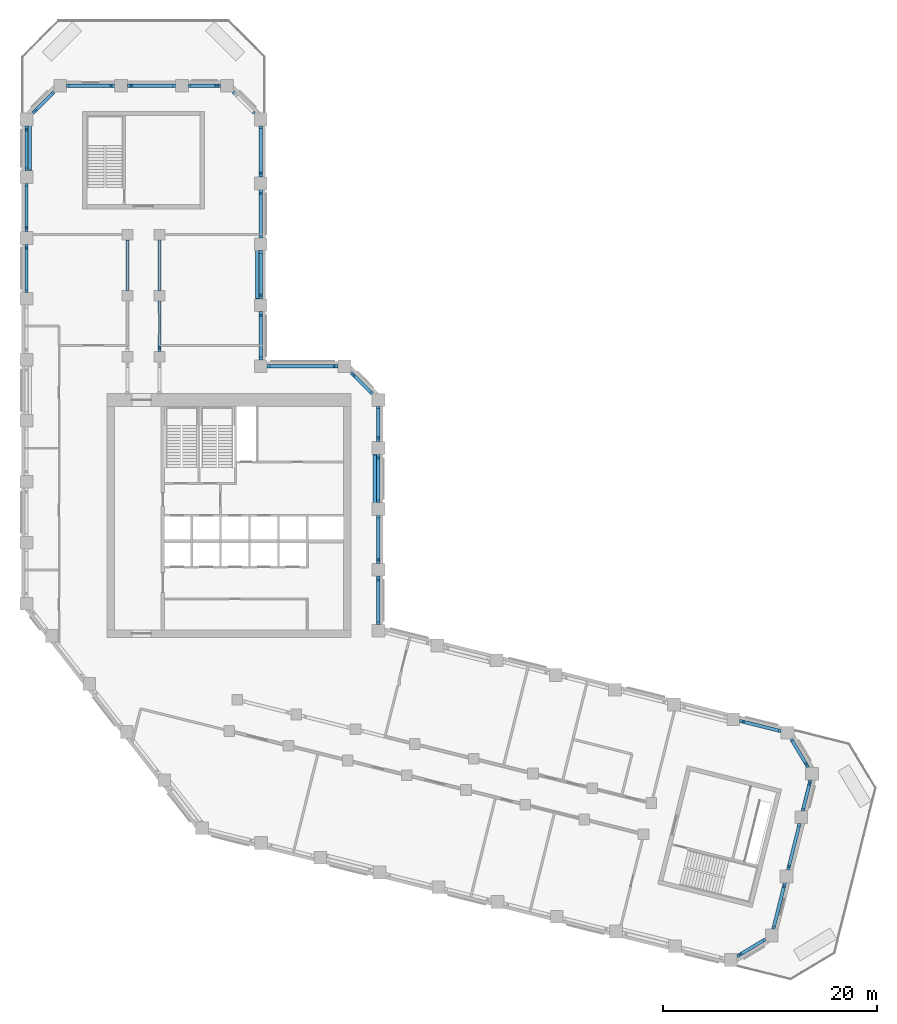
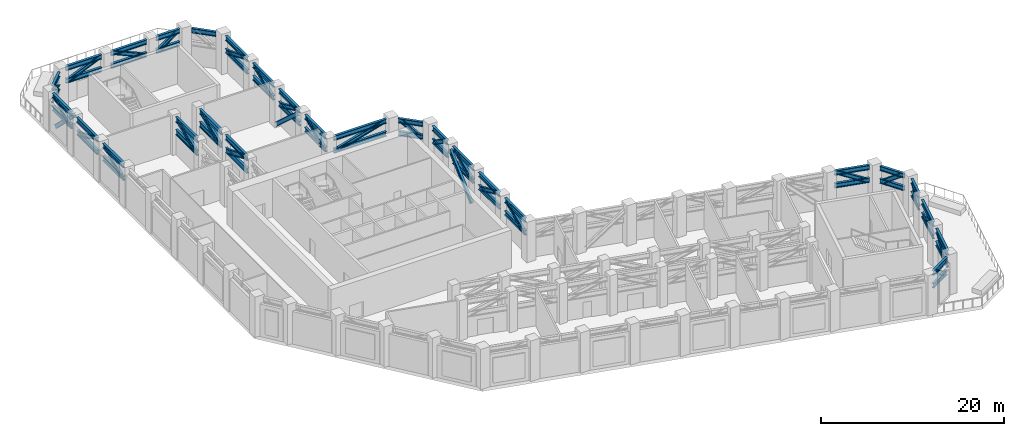
# One storey, part 3 of 14: 53 beams, 29 members.
"""IFC4 building model written with IfcOpenShell, lengths in metres."""

from ifc_helpers import new_model, si_unit, direction, frame, origin, origin_2d, place, context, subcontext, project, spatial, i_section, extrude, material, material_profile, profile_set, type_object, element, save


model = new_model("IFC4")

# Units and contexts
model_context = context("Model", 3, precision=1e-05, world=origin(), true_north=direction((0.0, 1.0)))
body_context = subcontext(model_context, "Body", "Model", "MODEL_VIEW")
ifc_project = project(units=[si_unit("LENGTHUNIT", "METRE"), si_unit("AREAUNIT", "SQUARE_METRE"), si_unit("VOLUMEUNIT", "CUBIC_METRE"), si_unit("PLANEANGLEUNIT", "RADIAN"), si_unit("MASSUNIT", "GRAM", prefix="KILO")], contexts=[model_context])

# Site, building, storey
site_placement = place(None, origin())
site = spatial("IfcSite", under=ifc_project, at=site_placement, CompositionType="ELEMENT")
building_placement = place(site_placement, origin())
building = spatial("IfcBuilding", under=site, at=building_placement, Name="Meshkara Civic Tower", CompositionType="ELEMENT")
storey_placement = place(building_placement, frame((0.0, 0.0, 220.199951171875)))
storey = spatial("IfcBuildingStorey", under=building, at=storey_placement, Name="L50", CompositionType="ELEMENT", Elevation=220.199951171875)

# Beams
ifc_material_1 = material(Name="Steel S355", Category="steel")
ifc_material_profile_1 = material_profile(ifc_material_1, i_section(OverallWidth=0.304931640625, OverallDepth=0.6201171875, WebThickness=0.02099609375, FlangeThickness=0.0400390625, FilletRadius=0.027099609375, at=origin_2d()))
ifc_profile_set_1 = profile_set([ifc_material_profile_1], Name="Steel S355")
beam_type_1 = type_object("IfcBeamType", Name="Belt truss chord HEM 600 S355", PredefinedType="BEAM", material=ifc_profile_set_1)
for number, where, z_axis, x_axis, name in (
    (1, (33.35009765625, 15.31396484375, 4.7900390625), (0.0, 1.0, 0.0), (-1.0, 0.0, 0.0), "Belt truss chord BHE00-HE01"),
    (2, (33.35009765625, 15.31396484375, 3.090087890625), (0.0, 1.0, 0.0), (-1.0, 0.0, 0.0), "Belt truss chord BHE00-HE01"),
    (3, (33.35009765625, 21.013916015625, 4.7900390625), (0.0, 1.0, 0.0), (-1.0, 0.0, 0.0), "Belt truss chord BHE01-HE02"),
    (4, (33.35009765625, 21.013916015625, 3.090087890625), (0.0, 1.0, 0.0), (-1.0, 0.0, 0.0), "Belt truss chord BHE01-HE02"),
    (5, (33.35009765625, 26.714111328125, 4.7900390625), (0.0, 1.0, 0.0), (-1.0, 0.0, 0.0), "Belt truss chord BHE02-HE03"),
    (6, (33.35009765625, 26.714111328125, 3.090087890625), (0.0, 1.0, 0.0), (-1.0, 0.0, 0.0), "Belt truss chord BHE02-HE03"),
):
    element("IfcBeam", number, at=place(storey_placement, frame(where, z_axis=z_axis, x_axis=x_axis)), inside=storey, type_object=beam_type_1, Name=name, PredefinedType="BEAM", context=body_context, shape_type="SweptSolid", body=[
        extrude(i_section(OverallWidth=0.304931640625, OverallDepth=0.6201171875, WebThickness=0.02099609375, FlangeThickness=0.0400390625, FilletRadius=0.027099609375, at=origin_2d()), origin(), (0.0, 0.0, 1.0), 4.510009765625),
    ])
for number, where, z_axis, x_axis, name in (
    (7, (33.35009765625, 32.4140625, 4.7900390625), (0.0, 1.0, 0.0), (-1.0, 0.0, 0.0), "Belt truss chord BHE03-HEE"),
    (8, (33.35009765625, 32.4140625, 3.090087890625), (0.0, 1.0, 0.0), (-1.0, 0.0, 0.0), "Belt truss chord BHE03-HEE"),
):
    element("IfcBeam", number, at=place(storey_placement, frame(where, z_axis=z_axis, x_axis=x_axis)), inside=storey, type_object=beam_type_1, Name=name, PredefinedType="BEAM", context=body_context, shape_type="SweptSolid", body=[
        extrude(i_section(OverallWidth=0.304931640625, OverallDepth=0.6201171875, WebThickness=0.02099609375, FlangeThickness=0.0400390625, FilletRadius=0.027099609375, at=origin_2d()), origin(), (0.0, 0.0, 1.0), 3.284912109375),
    ])
for number, where, z_axis, x_axis, name in (
    (9, (32.75341796875, 36.890380859375, 4.7900390625), (-0.707062808252, 0.707150751387, 0.0), (-0.707150751387, -0.707062808252, 0.0), "Belt truss chord BHEE-HCeE"),
    (10, (32.75341796875, 36.890380859375, 3.090087890625), (-0.707062808252, 0.707150751387, 0.0), (-0.707150751387, -0.707062808252, 0.0), "Belt truss chord BHEE-HCeE"),
):
    element("IfcBeam", number, at=place(storey_placement, frame(where, z_axis=z_axis, x_axis=x_axis)), inside=storey, type_object=beam_type_1, Name=name, PredefinedType="BEAM", context=body_context, shape_type="SweptSolid", body=[
        extrude(i_section(OverallWidth=0.304931640625, OverallDepth=0.6201171875, WebThickness=0.02099609375, FlangeThickness=0.0400390625, FilletRadius=0.027099609375, at=origin_2d()), origin(), (0.0, 0.0, 1.0), 2.776123046875),
    ])
for number, where, z_axis, x_axis, name in (
    (11, (29.59912109375, 39.449951171875, 4.7900390625), (-1.0, 0.0, 0.0), (0.0, -1.0, 0.0), "Belt truss chord BHCeE-HN00"),
    (12, (29.59912109375, 39.449951171875, 3.090087890625), (-1.0, 0.0, 0.0), (0.0, -1.0, 0.0), "Belt truss chord BHCeE-HN00"),
):
    element("IfcBeam", number, at=place(storey_placement, frame(where, z_axis=z_axis, x_axis=x_axis)), inside=storey, type_object=beam_type_1, Name=name, PredefinedType="BEAM", context=body_context, shape_type="SweptSolid", body=[
        extrude(i_section(OverallWidth=0.304931640625, OverallDepth=0.6201171875, WebThickness=0.02099609375, FlangeThickness=0.0400390625, FilletRadius=0.027099609375, at=origin_2d()), origin(), (0.0, 0.0, 1.0), 6.654052734375),
    ])
for number, where, z_axis, x_axis, name in (
    (13, (22.35009765625, 40.044921875, 4.7900390625), (0.0, 1.0, 0.0), (-1.0, 0.0, 0.0), "Belt truss chord BHN00-AE01"),
    (14, (22.35009765625, 40.044921875, 3.090087890625), (0.0, 1.0, 0.0), (-1.0, 0.0, 0.0), "Belt truss chord BHN00-AE01"),
):
    element("IfcBeam", number, at=place(storey_placement, frame(where, z_axis=z_axis, x_axis=x_axis)), inside=storey, type_object=beam_type_1, Name=name, PredefinedType="BEAM", context=body_context, shape_type="SweptSolid", body=[
        extrude(i_section(OverallWidth=0.304931640625, OverallDepth=0.6201171875, WebThickness=0.02099609375, FlangeThickness=0.0400390625, FilletRadius=0.027099609375, at=origin_2d()), origin(), (0.0, 0.0, 1.0), 4.510009765625),
    ])
for number, where, z_axis, x_axis, name in (
    (15, (22.35009765625, 45.7451171875, 4.7900390625), (0.0, 1.0, 0.0), (-1.0, 0.0, 0.0), "Belt truss chord BAE01-AE02"),
    (16, (22.35009765625, 45.7451171875, 3.090087890625), (0.0, 1.0, 0.0), (-1.0, 0.0, 0.0), "Belt truss chord BAE01-AE02"),
):
    element("IfcBeam", number, at=place(storey_placement, frame(where, z_axis=z_axis, x_axis=x_axis)), inside=storey, type_object=beam_type_1, Name=name, PredefinedType="BEAM", context=body_context, shape_type="SweptSolid", body=[
        extrude(i_section(OverallWidth=0.304931640625, OverallDepth=0.6201171875, WebThickness=0.02099609375, FlangeThickness=0.0400390625, FilletRadius=0.027099609375, at=origin_2d()), origin(), (0.0, 0.0, 1.0), 4.509765625),
    ])
for number, where, z_axis, x_axis, name in (
    (17, (22.35009765625, 51.445068359375, 4.7900390625), (0.0, 1.0, 0.0), (-1.0, 0.0, 0.0), "Belt truss chord BAE02-AE03"),
    (18, (22.35009765625, 51.445068359375, 3.090087890625), (0.0, 1.0, 0.0), (-1.0, 0.0, 0.0), "Belt truss chord BAE02-AE03"),
):
    element("IfcBeam", number, at=place(storey_placement, frame(where, z_axis=z_axis, x_axis=x_axis)), inside=storey, type_object=beam_type_1, Name=name, PredefinedType="BEAM", context=body_context, shape_type="SweptSolid", body=[
        extrude(i_section(OverallWidth=0.304931640625, OverallDepth=0.6201171875, WebThickness=0.02099609375, FlangeThickness=0.0400390625, FilletRadius=0.027099609375, at=origin_2d()), origin(), (0.0, 0.0, 1.0), 4.510009765625),
    ])
for number, where, z_axis, x_axis, name in (
    (19, (22.35009765625, 57.14501953125, 4.7900390625), (0.0, 1.0, 0.0), (-1.0, 0.0, 0.0), "Belt truss chord BAE03-AEEP3"),
    (20, (22.35009765625, 57.14501953125, 3.090087890625), (0.0, 1.0, 0.0), (-1.0, 0.0, 0.0), "Belt truss chord BAE03-AEEP3"),
):
    element("IfcBeam", number, at=place(storey_placement, frame(where, z_axis=z_axis, x_axis=x_axis)), inside=storey, type_object=beam_type_1, Name=name, PredefinedType="BEAM", context=body_context, shape_type="SweptSolid", body=[
        extrude(i_section(OverallWidth=0.304931640625, OverallDepth=0.6201171875, WebThickness=0.02099609375, FlangeThickness=0.0400390625, FilletRadius=0.027099609375, at=origin_2d()), origin(), (0.0, 0.0, 1.0), 4.77392578125),
    ])
beam_placement = place(storey_placement, frame((21.75341796875, 63.110595703125, 4.7900390625), z_axis=(-0.707106781187, 0.707106781187, 0.0), x_axis=(-0.707106781187, -0.707106781187, 0.0)))
element("IfcBeam", 21, at=beam_placement, inside=storey, type_object=beam_type_1, Name="Belt truss chord BAEEP3-ATiEP3", PredefinedType="BEAM", context=body_context, shape_type="SweptSolid", body=[
    extrude(i_section(OverallWidth=0.304931640625, OverallDepth=0.6201171875, WebThickness=0.02099609375, FlangeThickness=0.0400390625, FilletRadius=0.027099609375, at=origin_2d()), origin(), (0.0, 0.0, 1.0), 2.77587890625),
])
for number, where, z_axis, x_axis, name in (
    (22, (18.59912109375, 65.669921875, 4.7900390625), (-1.0, 0.0, 0.0), (0.0, -1.0, 0.0), "Belt truss chord BATiEP3-AT02-P3"),
    (23, (18.59912109375, 65.669921875, 3.090087890625), (-1.0, 0.0, 0.0), (0.0, -1.0, 0.0), "Belt truss chord BATiEP3-AT02-P3"),
):
    element("IfcBeam", number, at=place(storey_placement, frame(where, z_axis=z_axis, x_axis=x_axis)), inside=storey, type_object=beam_type_1, Name=name, PredefinedType="BEAM", context=body_context, shape_type="SweptSolid", body=[
        extrude(i_section(OverallWidth=0.304931640625, OverallDepth=0.6201171875, WebThickness=0.02099609375, FlangeThickness=0.0400390625, FilletRadius=0.027099609375, at=origin_2d()), origin(), (0.0, 0.0, 1.0), 2.998046875),
    ])
for number, where, z_axis, x_axis, name in (
    (24, (14.410888671875, 65.669921875, 4.7900390625), (-1.0, 0.0, 0.0), (0.0, -1.0, 0.0), "Belt truss chord BAT02-P3-AT01-P3"),
    (25, (14.410888671875, 65.669921875, 3.090087890625), (-1.0, 0.0, 0.0), (0.0, -1.0, 0.0), "Belt truss chord BAT02-P3-AT01-P3"),
    (26, (8.7109375, 65.669921875, 4.7900390625), (-1.0, 0.0, 0.0), (0.0, -1.0, 0.0), "Belt truss chord BAT01-P3-AT00-P3"),
    (27, (8.7109375, 65.669921875, 3.090087890625), (-1.0, 0.0, 0.0), (0.0, -1.0, 0.0), "Belt truss chord BAT01-P3-AT00-P3"),
):
    element("IfcBeam", number, at=place(storey_placement, frame(where, z_axis=z_axis, x_axis=x_axis)), inside=storey, type_object=beam_type_1, Name=name, PredefinedType="BEAM", context=body_context, shape_type="SweptSolid", body=[
        extrude(i_section(OverallWidth=0.304931640625, OverallDepth=0.6201171875, WebThickness=0.02099609375, FlangeThickness=0.0400390625, FilletRadius=0.027099609375, at=origin_2d()), origin(), (0.0, 0.0, 1.0), 4.510009765625),
    ])
for number, where, z_axis, x_axis, name in (
    (28, (3.009521484375, 65.073486328125, 4.7900390625), (-0.707150751387, -0.707062808252, 0.0), (0.707062808252, -0.707150751387, 0.0), "Belt truss chord BAT00-P3-ATo00-P3"),
    (29, (3.009521484375, 65.073486328125, 3.090087890625), (-0.707150751387, -0.707062808252, 0.0), (0.707062808252, -0.707150751387, 0.0), "Belt truss chord BAT00-P3-ATo00-P3"),
):
    element("IfcBeam", number, at=place(storey_placement, frame(where, z_axis=z_axis, x_axis=x_axis)), inside=storey, type_object=beam_type_1, Name=name, PredefinedType="BEAM", context=body_context, shape_type="SweptSolid", body=[
        extrude(i_section(OverallWidth=0.304931640625, OverallDepth=0.6201171875, WebThickness=0.02099609375, FlangeThickness=0.0400390625, FilletRadius=0.027099609375, at=origin_2d()), origin(), (0.0, 0.0, 1.0), 2.776123046875),
    ])
for number, where, z_axis, x_axis, name in (
    (30, (0.449951171875, 61.9189453125, 4.7900390625), (0.0, -1.0, 0.0), (1.0, 0.0, 0.0), "Belt truss chord BATo00-P3-AW07"),
    (31, (0.449951171875, 61.9189453125, 3.090087890625), (0.0, -1.0, 0.0), (1.0, 0.0, 0.0), "Belt truss chord BATo00-P3-AW07"),
):
    element("IfcBeam", number, at=place(storey_placement, frame(where, z_axis=z_axis, x_axis=x_axis)), inside=storey, type_object=beam_type_1, Name=name, PredefinedType="BEAM", context=body_context, shape_type="SweptSolid", body=[
        extrude(i_section(OverallWidth=0.304931640625, OverallDepth=0.6201171875, WebThickness=0.02099609375, FlangeThickness=0.0400390625, FilletRadius=0.027099609375, at=origin_2d()), origin(), (0.0, 0.0, 1.0), 4.1689453125),
    ])
for number, where, z_axis, x_axis, name in (
    (32, (0.449951171875, 56.56005859375, 4.7900390625), (0.0, -1.0, 0.0), (1.0, 0.0, 0.0), "Belt truss chord BAW07-AW06"),
    (33, (0.449951171875, 56.56005859375, 3.090087890625), (0.0, -1.0, 0.0), (1.0, 0.0, 0.0), "Belt truss chord BAW07-AW06"),
    (34, (0.449951171875, 50.860107421875, 4.7900390625), (0.0, -1.0, 0.0), (1.0, 0.0, 0.0), "Belt truss chord BAW06-AW05"),
    (35, (0.449951171875, 50.860107421875, 3.090087890625), (0.0, -1.0, 0.0), (1.0, 0.0, 0.0), "Belt truss chord BAW06-AW05"),
):
    element("IfcBeam", number, at=place(storey_placement, frame(where, z_axis=z_axis, x_axis=x_axis)), inside=storey, type_object=beam_type_1, Name=name, PredefinedType="BEAM", context=body_context, shape_type="SweptSolid", body=[
        extrude(i_section(OverallWidth=0.304931640625, OverallDepth=0.6201171875, WebThickness=0.02099609375, FlangeThickness=0.0400390625, FilletRadius=0.027099609375, at=origin_2d()), origin(), (0.0, 0.0, 1.0), 4.510009765625),
    ])
for number, where, z_axis, x_axis, name in (
    (36, (66.8916015625, -15.70703125, 4.7900390625), (0.85718440509, 0.515009607358, 0.0), (-0.515009607358, 0.85718440509, 0.0), "Belt truss chord BBSEP3-BToEP3"),
    (37, (66.8916015625, -15.70703125, 3.090087890625), (0.85718440509, 0.515009607358, 0.0), (-0.515009607358, 0.85718440509, 0.0), "Belt truss chord BBSEP3-BToEP3"),
):
    element("IfcBeam", number, at=place(storey_placement, frame(where, z_axis=z_axis, x_axis=x_axis)), inside=storey, type_object=beam_type_1, Name=name, PredefinedType="BEAM", context=body_context, shape_type="SweptSolid", body=[
        extrude(i_section(OverallWidth=0.304931640625, OverallDepth=0.6201171875, WebThickness=0.02099609375, FlangeThickness=0.0400390625, FilletRadius=0.027099609375, at=origin_2d()), origin(), (0.0, 0.0, 1.0), 3.07373046875),
    ])
for number, where, z_axis, x_axis, name in (
    (38, (70.2705078125, -13.1708984375, 4.7900390625), (0.241867850018, 0.970309199754, 0.0), (-0.970309199754, 0.241867850018, 0.0), "Belt truss chord BBToEP3-BT01-P3"),
    (39, (70.2705078125, -13.1708984375, 3.090087890625), (0.241867850018, 0.970309199754, 0.0), (-0.970309199754, 0.241867850018, 0.0), "Belt truss chord BBToEP3-BT01-P3"),
):
    element("IfcBeam", number, at=place(storey_placement, frame(where, z_axis=z_axis, x_axis=x_axis)), inside=storey, type_object=beam_type_1, Name=name, PredefinedType="BEAM", context=body_context, shape_type="SweptSolid", body=[
        extrude(i_section(OverallWidth=0.304931640625, OverallDepth=0.6201171875, WebThickness=0.02099609375, FlangeThickness=0.0400390625, FilletRadius=0.027099609375, at=origin_2d()), origin(), (0.0, 0.0, 1.0), 4.4736328125),
    ])
for number, where, z_axis, x_axis, name in (
    (40, (71.6494140625, -7.639892578125, 4.7900390625), (0.241970479865, 0.970283611566, 0.0), (-0.970283611566, 0.241970479865, 0.0), "Belt truss chord BBT01-P3-BT02-P3"),
    (41, (71.6494140625, -7.639892578125, 3.090087890625), (0.241970479865, 0.970283611566, 0.0), (-0.970283611566, 0.241970479865, 0.0), "Belt truss chord BBT01-P3-BT02-P3"),
):
    element("IfcBeam", number, at=place(storey_placement, frame(where, z_axis=z_axis, x_axis=x_axis)), inside=storey, type_object=beam_type_1, Name=name, PredefinedType="BEAM", context=body_context, shape_type="SweptSolid", body=[
        extrude(i_section(OverallWidth=0.304931640625, OverallDepth=0.6201171875, WebThickness=0.02099609375, FlangeThickness=0.0400390625, FilletRadius=0.027099609375, at=origin_2d()), origin(), (0.0, 0.0, 1.0), 4.47265625),
    ])
for number, where, z_axis, x_axis, name in (
    (42, (73.0283203125, -2.10986328125, 4.7900390625), (0.241934114249, 0.970292679743, 0.0), (-0.970292679743, 0.241934114249, 0.0), "Belt truss chord BBT02-P3-BTEP3"),
    (43, (73.0283203125, -2.10986328125, 3.090087890625), (0.241934114249, 0.970292679743, 0.0), (-0.970292679743, 0.241934114249, 0.0), "Belt truss chord BBT02-P3-BTEP3"),
):
    element("IfcBeam", number, at=place(storey_placement, frame(where, z_axis=z_axis, x_axis=x_axis)), inside=storey, type_object=beam_type_1, Name=name, PredefinedType="BEAM", context=body_context, shape_type="SweptSolid", body=[
        extrude(i_section(OverallWidth=0.304931640625, OverallDepth=0.6201171875, WebThickness=0.02099609375, FlangeThickness=0.0400390625, FilletRadius=0.027099609375, at=origin_2d()), origin(), (0.0, 0.0, 1.0), 2.960693359375),
    ])
for number, where, z_axis, x_axis, name in (
    (44, (73.534912109375, 1.95361328125, 4.7900390625), (-0.515091526067, 0.857135181739, 0.0), (-0.857135181739, -0.515091526067, 0.0), "Belt truss chord BBTEP3-BTi00-P3"),
    (45, (73.534912109375, 1.95361328125, 3.090087890625), (-0.515091526067, 0.857135181739, 0.0), (-0.857135181739, -0.515091526067, 0.0), "Belt truss chord BBTEP3-BTi00-P3"),
):
    element("IfcBeam", number, at=place(storey_placement, frame(where, z_axis=z_axis, x_axis=x_axis)), inside=storey, type_object=beam_type_1, Name=name, PredefinedType="BEAM", context=body_context, shape_type="SweptSolid", body=[
        extrude(i_section(OverallWidth=0.304931640625, OverallDepth=0.6201171875, WebThickness=0.02099609375, FlangeThickness=0.0400390625, FilletRadius=0.027099609375, at=origin_2d()), origin(), (0.0, 0.0, 1.0), 3.07275390625),
    ])
for number, where, z_axis, x_axis, name in (
    (46, (70.998779296875, 5.331298828125, 4.7900390625), (-0.970264807431, 0.242045870573, 0.0), (-0.242045870573, -0.970264807431, 0.0), "Belt truss chord BBTi00-P3-BN06"),
    (47, (70.998779296875, 5.331298828125, 3.090087890625), (-0.970264807431, 0.242045870573, 0.0), (-0.242045870573, -0.970264807431, 0.0), "Belt truss chord BBTi00-P3-BN06"),
):
    element("IfcBeam", number, at=place(storey_placement, frame(where, z_axis=z_axis, x_axis=x_axis)), inside=storey, type_object=beam_type_1, Name=name, PredefinedType="BEAM", context=body_context, shape_type="SweptSolid", body=[
        extrude(i_section(OverallWidth=0.304931640625, OverallDepth=0.6201171875, WebThickness=0.02099609375, FlangeThickness=0.0400390625, FilletRadius=0.027099609375, at=origin_2d()), origin(), (0.0, 0.0, 1.0), 3.98828125),
    ])
ifc_material_2 = material(Name="Steel S355", Category="steel")
ifc_material_profile_2 = material_profile(ifc_material_2, i_section(OverallWidth=0.300048828125, OverallDepth=0.699951171875, WebThickness=0.01708984375, FlangeThickness=0.031982421875, FilletRadius=0.027099609375, at=origin_2d()))
ifc_profile_set_2 = profile_set([ifc_material_profile_2], Name="Steel S355")
beam_type_2 = type_object("IfcBeamType", Name="Outrigger chord HEB 700 S355", PredefinedType="BEAM", material=ifc_profile_set_2)
for number, where, z_axis, x_axis, name in (
    (48, (9.89990234375, 46.544921875, 4.75), (0.0, 1.0, 0.0), (-1.0, 0.0, 0.0), "Outrigger chord OSA1-SA1-05-SA1-06"),
    (49, (9.89990234375, 46.544921875, 3.050048828125), (0.0, 1.0, 0.0), (-1.0, 0.0, 0.0), "Outrigger chord OSA1-SA1-05-SA1-06"),
    (50, (12.89990234375, 40.844970703125, 4.75), (0.0, 1.0, 0.0), (-1.0, 0.0, 0.0), "Outrigger chord OSA2-SA2-04-SA2-05"),
    (51, (12.89990234375, 40.844970703125, 3.050048828125), (0.0, 1.0, 0.0), (-1.0, 0.0, 0.0), "Outrigger chord OSA2-SA2-04-SA2-05"),
    (52, (12.89990234375, 46.544921875, 4.75), (0.0, 1.0, 0.0), (-1.0, 0.0, 0.0), "Outrigger chord OSA2-SA2-05-SA2-06"),
    (53, (12.89990234375, 46.544921875, 3.050048828125), (0.0, 1.0, 0.0), (-1.0, 0.0, 0.0), "Outrigger chord OSA2-SA2-05-SA2-06"),
):
    element("IfcBeam", number, at=place(storey_placement, frame(where, z_axis=z_axis, x_axis=x_axis)), inside=storey, type_object=beam_type_2, Name=name, PredefinedType="BEAM", context=body_context, shape_type="SweptSolid", body=[
        extrude(i_section(OverallWidth=0.300048828125, OverallDepth=0.699951171875, WebThickness=0.01708984375, FlangeThickness=0.031982421875, FilletRadius=0.027099609375, at=origin_2d()), origin(), (0.0, 0.0, 1.0), 4.7099609375),
    ])

# Members
ifc_material_3 = material(Name="Steel S355", Category="steel")
ifc_material_profile_3 = material_profile(ifc_material_3, i_section(OverallWidth=0.300048828125, OverallDepth=0.590087890625, WebThickness=0.012939453125, FlangeThickness=0.02490234375, FilletRadius=0.027099609375, at=origin_2d()))
ifc_profile_set_3 = profile_set([ifc_material_profile_3], Name="Steel S355")
member_type_1 = type_object("IfcMemberType", Name="Truss diagonal HEA 600 S355", PredefinedType="BRACE", material=ifc_profile_set_3)
for number, where, z_axis, x_axis, name in (
    (54, (9.89990234375, 46.89501953125, 3.050048828125), (0.0, 0.920686179442, 0.39030367534), (-1.0, 0.0, 0.0), "TD-OSA1-SA1-05-SA1-06-L50"),
    (55, (12.89990234375, 41.195068359375, 4.75), (0.0, 0.920686179442, -0.39030367534), (-1.0, 0.0, 0.0), "TD-OSA2-SA2-04-SA2-05-L50"),
    (56, (12.89990234375, 46.89501953125, 3.050048828125), (0.0, 0.920686179442, 0.39030367534), (-1.0, 0.0, 0.0), "TD-OSA2-SA2-05-SA2-06-L50"),
):
    element("IfcMember", number, at=place(storey_placement, frame(where, z_axis=z_axis, x_axis=x_axis)), inside=storey, type_object=member_type_1, Name=name, PredefinedType="BRACE", context=body_context, shape_type="SweptSolid", body=[
        extrude(i_section(OverallWidth=0.300048828125, OverallDepth=0.590087890625, WebThickness=0.012939453125, FlangeThickness=0.02490234375, FilletRadius=0.027099609375, at=origin_2d()), origin(), (0.0, 0.0, 1.0), 4.35546875),
    ])
ifc_material_4 = material(Name="Steel S355", Category="steel")
ifc_material_profile_4 = material_profile(ifc_material_4, i_section(OverallWidth=0.300048828125, OverallDepth=0.5, WebThickness=0.014404296875, FlangeThickness=0.028076171875, FilletRadius=0.027099609375, at=origin_2d()))
ifc_profile_set_4 = profile_set([ifc_material_profile_4], Name="Steel S355")
member_type_2 = type_object("IfcMemberType", Name="Truss diagonal HEB 500 S355", PredefinedType="BRACE", material=ifc_profile_set_4)
for number, where, z_axis, x_axis, name in (
    (57, (33.35009765625, 15.6640625, 3.090087890625), (0.0, 0.91322421456, 0.407457401383), (-1.0, 0.0, 0.0), "TD-BHE00-HE01-L50"),
    (58, (33.35009765625, 21.364013671875, 4.7900390625), (0.0, 0.91322421456, -0.407457401383), (-1.0, 0.0, 0.0), "TD-BHE01-HE02-L50"),
    (59, (33.35009765625, 27.06396484375, 3.090087890625), (0.0, 0.91322421456, 0.407457401383), (-1.0, 0.0, 0.0), "TD-BHE02-HE03-L50"),
):
    element("IfcMember", number, at=place(storey_placement, frame(where, z_axis=z_axis, x_axis=x_axis)), inside=storey, type_object=member_type_2, Name=name, PredefinedType="BRACE", context=body_context, shape_type="SweptSolid", body=[
        extrude(i_section(OverallWidth=0.300048828125, OverallDepth=0.5, WebThickness=0.014404296875, FlangeThickness=0.028076171875, FilletRadius=0.027099609375, at=origin_2d()), origin(), (0.0, 0.0, 1.0), 4.172119140625),
    ])
member_1_placement = place(storey_placement, frame((33.35009765625, 32.763916015625, 4.7900390625), z_axis=(0.0, 0.835541961159, -0.549426638545), x_axis=(-1.0, 0.0, 0.0)))
element("IfcMember", 60, at=member_1_placement, inside=storey, type_object=member_type_2, Name="TD-BHE03-HEE-L50", PredefinedType="BRACE", context=body_context, shape_type="SweptSolid", body=[
    extrude(i_section(OverallWidth=0.300048828125, OverallDepth=0.5, WebThickness=0.014404296875, FlangeThickness=0.028076171875, FilletRadius=0.027099609375, at=origin_2d()), origin(), (0.0, 0.0, 1.0), 3.093994140625),
])
member_2_placement = place(storey_placement, frame((32.506103515625, 37.137939453125, 3.090087890625), z_axis=(-0.547098411538, 0.547098411538, 0.633535047321), x_axis=(-0.707106781187, -0.707106781187, 0.0)))
element("IfcMember", 61, at=member_2_placement, inside=storey, type_object=member_type_2, Name="TD-BHEE-HCeE-L50", PredefinedType="BRACE", context=body_context, shape_type="SweptSolid", body=[
    extrude(i_section(OverallWidth=0.300048828125, OverallDepth=0.5, WebThickness=0.014404296875, FlangeThickness=0.028076171875, FilletRadius=0.027099609375, at=origin_2d()), origin(), (0.0, 0.0, 1.0), 2.683349609375),
])
member_3_placement = place(storey_placement, frame((29.2490234375, 39.449951171875, 4.7900390625), z_axis=(-0.961576005405, 0.0, -0.274538860326), x_axis=(0.0, -1.0, 0.0)))
element("IfcMember", 62, at=member_3_placement, inside=storey, type_object=member_type_2, Name="TD-BHCeE-HN00-L50", PredefinedType="BRACE", context=body_context, shape_type="SweptSolid", body=[
    extrude(i_section(OverallWidth=0.300048828125, OverallDepth=0.5, WebThickness=0.014404296875, FlangeThickness=0.028076171875, FilletRadius=0.027099609375, at=origin_2d()), origin(), (0.0, 0.0, 1.0), 6.192138671875),
])
for number, where, z_axis, x_axis, name in (
    (63, (22.35009765625, 40.39501953125, 3.090087890625), (0.0, 0.91322421456, 0.407457401383), (-1.0, 0.0, 0.0), "TD-BHN00-AE01-L50"),
    (64, (22.35009765625, 46.094970703125, 4.7900390625), (0.0, 0.91322421456, -0.407457401383), (-1.0, 0.0, 0.0), "TD-BAE01-AE02-L50"),
    (65, (22.35009765625, 51.794921875, 3.090087890625), (0.0, 0.91322421456, 0.407457401383), (-1.0, 0.0, 0.0), "TD-BAE02-AE03-L50"),
):
    element("IfcMember", number, at=place(storey_placement, frame(where, z_axis=z_axis, x_axis=x_axis)), inside=storey, type_object=member_type_2, Name=name, PredefinedType="BRACE", context=body_context, shape_type="SweptSolid", body=[
        extrude(i_section(OverallWidth=0.300048828125, OverallDepth=0.5, WebThickness=0.014404296875, FlangeThickness=0.028076171875, FilletRadius=0.027099609375, at=origin_2d()), origin(), (0.0, 0.0, 1.0), 4.172119140625),
    ])
member_4_placement = place(storey_placement, frame((22.35009765625, 57.4951171875, 4.7900390625), z_axis=(0.0, 0.922878814504, -0.385090500713), x_axis=(-1.0, 0.0, 0.0)))
element("IfcMember", 66, at=member_4_placement, inside=storey, type_object=member_type_2, Name="TD-BAE03-AEEP3-L50", PredefinedType="BRACE", context=body_context, shape_type="SweptSolid", body=[
    extrude(i_section(OverallWidth=0.300048828125, OverallDepth=0.5, WebThickness=0.014404296875, FlangeThickness=0.028076171875, FilletRadius=0.027099609375, at=origin_2d()), origin(), (0.0, 0.0, 1.0), 4.414306640625),
])
member_5_placement = place(storey_placement, frame((18.2490234375, 65.669921875, 4.7900390625), z_axis=(-0.803948883954, 0.0, -0.594698404226), x_axis=(0.0, -1.0, 0.0)))
element("IfcMember", 67, at=member_5_placement, inside=storey, type_object=member_type_2, Name="TD-BATiEP3-AT02-P3-L50", PredefinedType="BRACE", context=body_context, shape_type="SweptSolid", body=[
    extrude(i_section(OverallWidth=0.300048828125, OverallDepth=0.5, WebThickness=0.014404296875, FlangeThickness=0.028076171875, FilletRadius=0.027099609375, at=origin_2d()), origin(), (0.0, 0.0, 1.0), 2.8583984375),
])
for number, where, z_axis, x_axis, name in (
    (68, (14.06103515625, 65.669921875, 3.090087890625), (-0.91322421456, 0.0, 0.407457401383), (0.0, -1.0, 0.0), "TD-BAT02-P3-AT01-P3-L50"),
    (69, (8.361083984375, 65.669921875, 4.7900390625), (-0.91322421456, 0.0, -0.407457401383), (0.0, -1.0, 0.0), "TD-BAT01-P3-AT00-P3-L50"),
):
    element("IfcMember", number, at=place(storey_placement, frame(where, z_axis=z_axis, x_axis=x_axis)), inside=storey, type_object=member_type_2, Name=name, PredefinedType="BRACE", context=body_context, shape_type="SweptSolid", body=[
        extrude(i_section(OverallWidth=0.300048828125, OverallDepth=0.5, WebThickness=0.014404296875, FlangeThickness=0.028076171875, FilletRadius=0.027099609375, at=origin_2d()), origin(), (0.0, 0.0, 1.0), 4.172119140625),
    ])
member_6_placement = place(storey_placement, frame((2.761962890625, 64.825927734375, 3.090087890625), z_axis=(-0.547098411538, -0.547098411538, 0.633535047321), x_axis=(0.707106781187, -0.707106781187, 0.0)))
element("IfcMember", 70, at=member_6_placement, inside=storey, type_object=member_type_2, Name="TD-BAT00-P3-ATo00-P3-L50", PredefinedType="BRACE", context=body_context, shape_type="SweptSolid", body=[
    extrude(i_section(OverallWidth=0.300048828125, OverallDepth=0.5, WebThickness=0.014404296875, FlangeThickness=0.028076171875, FilletRadius=0.027099609375, at=origin_2d()), origin(), (0.0, 0.0, 1.0), 2.683349609375),
])
member_7_placement = place(storey_placement, frame((0.449951171875, 61.569091796875, 4.7900390625), z_axis=(0.0, -0.897975568033, -0.440045314956), x_axis=(1.0, 0.0, 0.0)))
element("IfcMember", 71, at=member_7_placement, inside=storey, type_object=member_type_2, Name="TD-BATo00-P3-AW07-L50", PredefinedType="BRACE", context=body_context, shape_type="SweptSolid", body=[
    extrude(i_section(OverallWidth=0.300048828125, OverallDepth=0.5, WebThickness=0.014404296875, FlangeThickness=0.028076171875, FilletRadius=0.027099609375, at=origin_2d()), origin(), (0.0, 0.0, 1.0), 3.863037109375),
])
for number, where, z_axis, x_axis, name in (
    (72, (0.449951171875, 56.2099609375, 3.090087890625), (0.0, -0.91322421456, 0.407457401383), (1.0, 0.0, 0.0), "TD-BAW07-AW06-L50"),
    (73, (0.449951171875, 50.510009765625, 4.7900390625), (0.0, -0.91322421456, -0.407457401383), (1.0, 0.0, 0.0), "TD-BAW06-AW05-L50"),
):
    element("IfcMember", number, at=place(storey_placement, frame(where, z_axis=z_axis, x_axis=x_axis)), inside=storey, type_object=member_type_2, Name=name, PredefinedType="BRACE", context=body_context, shape_type="SweptSolid", body=[
        extrude(i_section(OverallWidth=0.300048828125, OverallDepth=0.5, WebThickness=0.014404296875, FlangeThickness=0.028076171875, FilletRadius=0.027099609375, at=origin_2d()), origin(), (0.0, 0.0, 1.0), 4.172119140625),
    ])
member_8_placement = place(storey_placement, frame((67.191650390625, -15.52685546875, 4.7900390625), z_axis=(0.6968778234, 0.418762195775, -0.582236655187), x_axis=(-0.515070387165, 0.857147884712, 0.0)))
element("IfcMember", 74, at=member_8_placement, inside=storey, type_object=member_type_2, Name="TD-BBSEP3-BToEP3-L50", PredefinedType="BRACE", context=body_context, shape_type="SweptSolid", body=[
    extrude(i_section(OverallWidth=0.300048828125, OverallDepth=0.5, WebThickness=0.014404296875, FlangeThickness=0.028076171875, FilletRadius=0.027099609375, at=origin_2d()), origin(), (0.0, 0.0, 1.0), 2.919677734375),
])
member_9_placement = place(storey_placement, frame((70.35498046875, -12.831298828125, 3.090087890625), z_axis=(0.220562719146, 0.884669456815, 0.410745710996), x_axis=(-0.970298339323, 0.241911414998, 0.0)))
element("IfcMember", 75, at=member_9_placement, inside=storey, type_object=member_type_2, Name="TD-BBToEP3-BT01-P3-L50", PredefinedType="BRACE", context=body_context, shape_type="SweptSolid", body=[
    extrude(i_section(OverallWidth=0.300048828125, OverallDepth=0.5, WebThickness=0.014404296875, FlangeThickness=0.028076171875, FilletRadius=0.027099609375, at=origin_2d()), origin(), (0.0, 0.0, 1.0), 4.138671875),
])
member_10_placement = place(storey_placement, frame((71.734130859375, -7.30029296875, 4.7900390625), z_axis=(0.220597254952, 0.884630981745, -0.410810025736), x_axis=(-0.97028697725, 0.241956983323, 0.0)))
element("IfcMember", 76, at=member_10_placement, inside=storey, type_object=member_type_2, Name="TD-BBT01-P3-BT02-P3-L50", PredefinedType="BRACE", context=body_context, shape_type="SweptSolid", body=[
    extrude(i_section(OverallWidth=0.300048828125, OverallDepth=0.5, WebThickness=0.014404296875, FlangeThickness=0.028076171875, FilletRadius=0.027099609375, at=origin_2d()), origin(), (0.0, 0.0, 1.0), 4.137939453125),
])
member_11_placement = place(storey_placement, frame((73.113037109375, -1.770263671875, 3.090087890625), z_axis=(0.193352753997, 0.775482652638, 0.601033583072), x_axis=(-0.970294782603, 0.241925680435, 0.0)))
element("IfcMember", 77, at=member_11_placement, inside=storey, type_object=member_type_2, Name="TD-BBT02-P3-BTEP3-L50", PredefinedType="BRACE", context=body_context, shape_type="SweptSolid", body=[
    extrude(i_section(OverallWidth=0.300048828125, OverallDepth=0.5, WebThickness=0.014404296875, FlangeThickness=0.028076171875, FilletRadius=0.027099609375, at=origin_2d()), origin(), (0.0, 0.0, 1.0), 2.828369140625),
])
member_12_placement = place(storey_placement, frame((73.3544921875, 2.253662109375, 4.7900390625), z_axis=(-0.418721871652, 0.696754532733, -0.582413182643), x_axis=(-0.857129547252, -0.515100901986, 0.0)))
element("IfcMember", 78, at=member_12_placement, inside=storey, type_object=member_type_2, Name="TD-BBTEP3-BTi00-P3-L50", PredefinedType="BRACE", context=body_context, shape_type="SweptSolid", body=[
    extrude(i_section(OverallWidth=0.300048828125, OverallDepth=0.5, WebThickness=0.014404296875, FlangeThickness=0.028076171875, FilletRadius=0.027099609375, at=origin_2d()), origin(), (0.0, 0.0, 1.0), 2.918701171875),
])
member_13_placement = place(storey_placement, frame((70.6591796875, 5.416015625, 3.090087890625), z_axis=(-0.861896540652, 0.215012451984, 0.459242853731), x_axis=(-0.242046435045, -0.970264666615, 0.0)))
element("IfcMember", 79, at=member_13_placement, inside=storey, type_object=member_type_2, Name="TD-BBTi00-P3-BN06-L50", PredefinedType="BRACE", context=body_context, shape_type="SweptSolid", body=[
    extrude(i_section(OverallWidth=0.300048828125, OverallDepth=0.5, WebThickness=0.014404296875, FlangeThickness=0.028076171875, FilletRadius=0.027099609375, at=origin_2d()), origin(), (0.0, 0.0, 1.0), 3.70166015625),
])
for number, where, z_axis, x_axis, name in (
    (80, (33.010009765625, 26.59912109375, 0.35009765625), (0.0, 0.740642213309, 0.671899629308), (-1.0, 0.0, 0.0), "TD-XHE02-HE03-L50"),
    (81, (22.010009765625, 45.6298828125, 4.650146484375), (0.0, 0.740659434432, -0.67188064579), (-1.0, 0.0, 0.0), "TD-XAE01-AE02-L50"),
):
    element("IfcMember", number, at=place(storey_placement, frame(where, z_axis=z_axis, x_axis=x_axis)), inside=storey, type_object=member_type_2, Name=name, PredefinedType="BRACE", context=body_context, shape_type="SweptSolid", body=[
        extrude(i_section(OverallWidth=0.300048828125, OverallDepth=0.5, WebThickness=0.014404296875, FlangeThickness=0.028076171875, FilletRadius=0.027099609375, at=origin_2d()), origin(), (0.0, 0.0, 1.0), 6.39990234375),
    ])
member_14_placement = place(storey_placement, frame((0.7900390625, 62.033935546875, 0.35009765625), z_axis=(0.0, -0.715097922217, 0.699024292597), x_axis=(1.0, 0.0, 0.0)))
element("IfcMember", 82, at=member_14_placement, inside=storey, type_object=member_type_2, Name="TD-XATo00-P3-AW07-L50", PredefinedType="BRACE", context=body_context, shape_type="SweptSolid", body=[
    extrude(i_section(OverallWidth=0.300048828125, OverallDepth=0.5, WebThickness=0.014404296875, FlangeThickness=0.028076171875, FilletRadius=0.027099609375, at=origin_2d()), origin(), (0.0, 0.0, 1.0), 6.151611328125),
])

save(model, "model.ifc")
